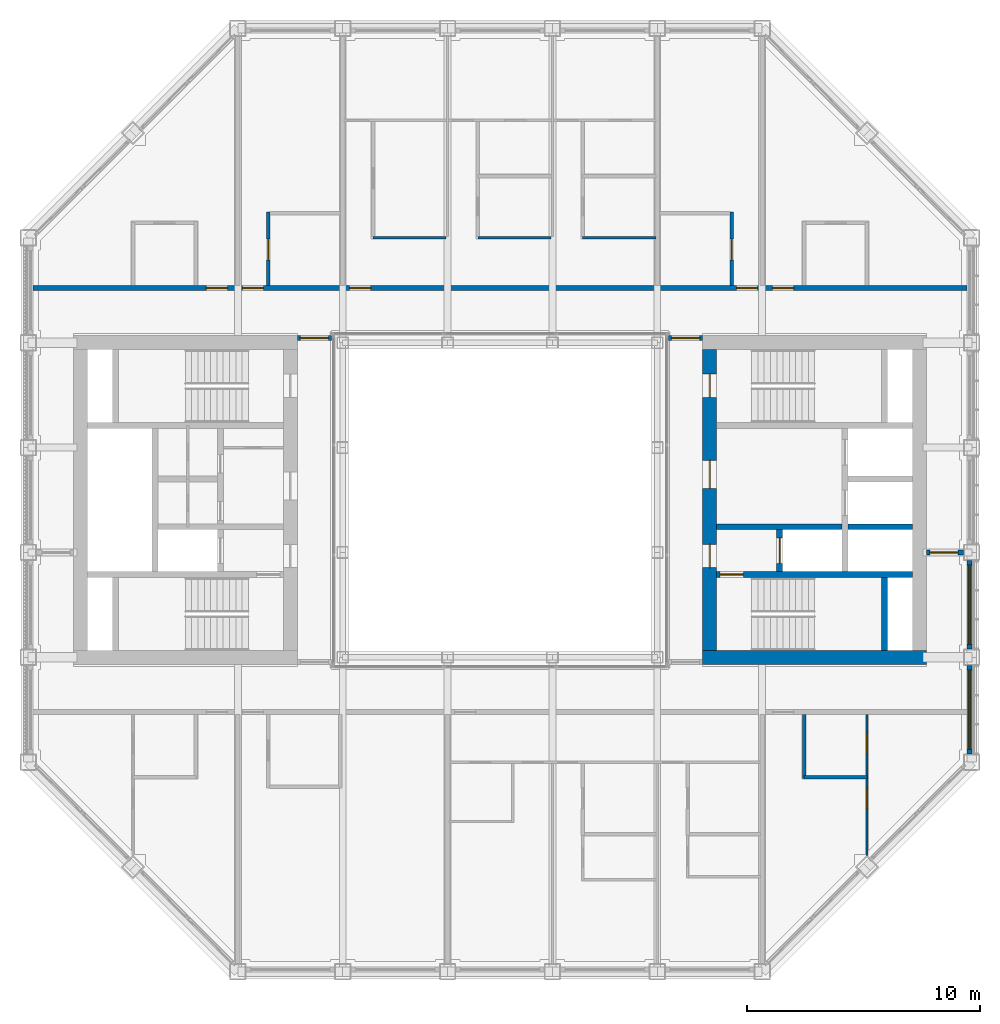
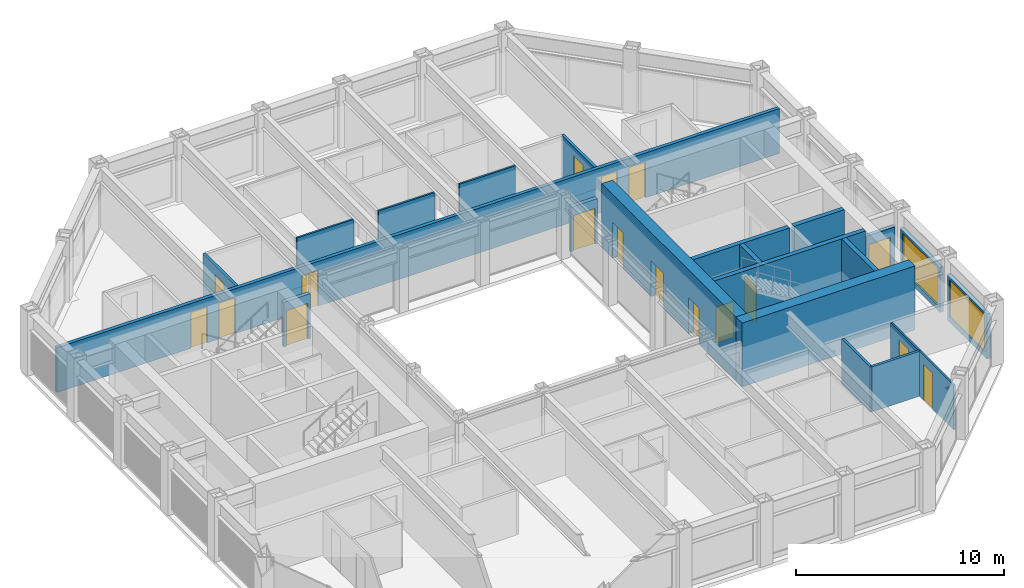
# One storey, part 11 of 17: 21 walls, 17 doors, 2 windows, 19 openings.
"""IFC4 building model written with IfcOpenShell, lengths in metres."""

from ifc_helpers import new_model, si_unit, direction, frame, frame_2d, origin, place, context, subcontext, project, spatial, rectangle, extrude, material, layer, layer_set, type_object, element, fill, save


model = new_model("IFC4")

# Units and contexts
model_context = context("Model", 3, precision=1e-05, world=origin(), true_north=direction((0.0, 1.0)))
body_context = subcontext(model_context, "Body", "Model", "MODEL_VIEW")
ifc_project = project(units=[si_unit("LENGTHUNIT", "METRE"), si_unit("AREAUNIT", "SQUARE_METRE"), si_unit("VOLUMEUNIT", "CUBIC_METRE"), si_unit("PLANEANGLEUNIT", "RADIAN"), si_unit("MASSUNIT", "GRAM", prefix="KILO")], contexts=[model_context])

# Site, building, storey
site_placement = place(None, origin())
site = spatial("IfcSite", under=ifc_project, at=site_placement, CompositionType="ELEMENT")
building_placement = place(site_placement, origin())
building = spatial("IfcBuilding", under=site, at=building_placement, Name="Msasa Ring Tower", CompositionType="ELEMENT")
storey_placement = place(building_placement, frame((0.0, 0.0, 242.050048828125)))
storey = spatial("IfcBuildingStorey", under=building, at=storey_placement, Name="L63", CompositionType="ELEMENT", Elevation=242.050048828125)

# Wall
ifc_material_1 = material(Name="Concrete C60/75", Category="concrete")
ifc_layer_1 = layer(ifc_material_1, 0.60009765625)
ifc_layer_set_1 = layer_set([ifc_layer_1], Name="CW3 CORE WALL 600")
wall_type_1 = type_object("IfcWallType", Name="CW3 CORE WALL 600", PredefinedType="SHEAR", material=ifc_layer_set_1)
wall_1_placement = place(storey_placement, frame((8.699951171875, -6.75, 0.0), z_axis=(0.0, 0.0, 1.0), x_axis=(1.0, 0.0, 0.0)))
element("IfcWall", 1, at=wall_1_placement, inside=storey, type_object=wall_type_1, Name="E core wall S L63", PredefinedType="SHEAR", context=body_context, shape_type="SweptSolid", body=[
    extrude(rectangle(XDim=9.60009765625, YDim=0.60009765625, at=frame_2d((4.800048828125, 0.0))), origin(), (0.0, 0.0, 1.0), 3.75),
])

# Wall, openings, doors
wall_2_placement = place(storey_placement, frame((9.0, -6.449951171875, 0.0), z_axis=(0.0, 0.0, 1.0), x_axis=(0.0, 1.0, 0.0)))
wall_2 = element("IfcWall", 2, at=wall_2_placement, inside=storey, type_object=wall_type_1, Name="E core wall W L63", PredefinedType="SHEAR", context=body_context, shape_type="SweptSolid", body=[
    extrude(rectangle(XDim=12.89990234375, YDim=0.60009765625, at=frame_2d((6.449951171875, 0.0))), origin(), (0.0, 0.0, 1.0), 3.75),
])
opening_1_placement = place(wall_2_placement, frame((3.550048828125, 0.0, 0.0)))
opening_1 = element("IfcOpeningElement", 3, at=opening_1_placement, cuts=wall_2, Name="Opening SD-032", PredefinedType="OPENING", context=body_context, shape_type="SweptSolid", body=[
    extrude(rectangle(XDim=1.0, YDim=2.10009765625, at=frame_2d((0.5, 1.050048828125))), frame((0.0, 0.31005859375, 0.0), z_axis=(0.0, -1.0, 0.0), x_axis=(1.0, 0.0, 0.0)), (0.0, 0.0, 1.0), 0.6201171875),
])
opening_2_placement = place(wall_2_placement, frame((6.949951171875, 0.0, 0.0)))
opening_2 = element("IfcOpeningElement", 4, at=opening_2_placement, cuts=wall_2, Name="Opening SD-025", PredefinedType="OPENING", context=body_context, shape_type="SweptSolid", body=[
    extrude(rectangle(XDim=1.199951171875, YDim=2.10009765625, at=frame_2d((0.60009765625, 1.050048828125))), frame((0.0, 0.31005859375, 0.0), z_axis=(0.0, -1.0, 0.0), x_axis=(1.0, 0.0, 0.0)), (0.0, 0.0, 1.0), 0.6201171875),
])
opening_3_placement = place(wall_2_placement, frame((10.85009765625, 0.0, 0.0)))
opening_3 = element("IfcOpeningElement", 5, at=opening_3_placement, cuts=wall_2, Name="Opening SD-021", PredefinedType="OPENING", context=body_context, shape_type="SweptSolid", body=[
    extrude(rectangle(XDim=1.0, YDim=2.10009765625, at=frame_2d((0.5, 1.050048828125))), frame((0.0, 0.31005859375, 0.0), z_axis=(0.0, -1.0, 0.0), x_axis=(1.0, 0.0, 0.0)), (0.0, 0.0, 1.0), 0.6201171875),
])
ifc_material_2 = material(Name="Timber door leaf in a steel frame", Category="steel")
door_type_1 = type_object("IfcDoorType", Name="D4 LOBBY DOOR 1000x2100", OperationType="SINGLE_SWING_LEFT", PredefinedType="DOOR", material=ifc_material_2)
door_1_placement = place(opening_1_placement, origin())
door_1 = element("IfcDoor", 6, at=door_1_placement, inside=storey, type_object=door_type_1, Name="Door L63-EFFL", OperationType="SINGLE_SWING_LEFT", OverallHeight=2.10009765625, OverallWidth=1.0, PredefinedType="DOOR", context=body_context, shape_type="SweptSolid", body=[
    extrude(rectangle(XDim=1.0, YDim=2.10009765625, at=frame_2d((0.5, 1.050048828125))), frame((0.0, 0.02490234375, 0.0), z_axis=(0.0, -1.0, 0.0), x_axis=(1.0, 0.0, 0.0)), (0.0, 0.0, 1.0), 0.050048828125),
])
fill(opening_1, door_1)
ifc_material_3 = material(Name="Timber door leaf in a steel frame", Category="steel")
door_type_2 = type_object("IfcDoorType", Name="D5 WIDE LOBBY DOOR 1200x2100", OperationType="SINGLE_SWING_LEFT", PredefinedType="DOOR", material=ifc_material_3)
door_2_placement = place(opening_2_placement, origin())
door_2 = element("IfcDoor", 7, at=door_2_placement, inside=storey, type_object=door_type_2, Name="Door L63-ELL", OperationType="SINGLE_SWING_RIGHT", OverallHeight=2.10009765625, OverallWidth=1.199951171875, PredefinedType="DOOR", context=body_context, shape_type="SweptSolid", body=[
    extrude(rectangle(XDim=1.199951171875, YDim=2.10009765625, at=frame_2d((0.60009765625, 1.050048828125))), frame((0.0, 0.02490234375, 0.0), z_axis=(0.0, -1.0, 0.0), x_axis=(1.0, 0.0, 0.0)), (0.0, 0.0, 1.0), 0.050048828125),
])
fill(opening_2, door_2)
ifc_material_4 = material(Name="Timber door leaf in a steel frame", Category="steel")
door_type_3 = type_object("IfcDoorType", Name="D6 STAIR DOOR 1000x2100", OperationType="SINGLE_SWING_LEFT", PredefinedType="DOOR", material=ifc_material_4)
door_3_placement = place(opening_3_placement, origin())
door_3 = element("IfcDoor", 8, at=door_3_placement, inside=storey, type_object=door_type_3, Name="Door L63-ESTB", OperationType="SINGLE_SWING_RIGHT", OverallHeight=2.10009765625, OverallWidth=1.0, PredefinedType="DOOR", context=body_context, shape_type="SweptSolid", body=[
    extrude(rectangle(XDim=1.0, YDim=2.10009765625, at=frame_2d((0.5, 1.050048828125))), frame((0.0, 0.02490234375, 0.0), z_axis=(0.0, -1.0, 0.0), x_axis=(1.0, 0.0, 0.0)), (0.0, 0.0, 1.0), 0.050048828125),
])
fill(opening_3, door_3)

# Wall, opening, door
ifc_material_5 = material(Name="Concrete C60/75", Category="concrete")
ifc_layer_2 = layer(ifc_material_5, 0.25)
ifc_layer_set_2 = layer_set([ifc_layer_2], Name="CW4 CORE INNER WALL 250")
wall_type_2 = type_object("IfcWallType", Name="CW4 CORE INNER WALL 250", PredefinedType="SHEAR", material=ifc_layer_set_2)
wall_3_placement = place(storey_placement, frame((9.300048828125, -3.199951171875, 0.0), z_axis=(0.0, 0.0, 1.0), x_axis=(1.0, 0.0, 0.0)))
wall_3 = element("IfcWall", 9, at=wall_3_placement, inside=storey, type_object=wall_type_2, Name="E core wall STAIRA L63", PredefinedType="SHEAR", context=body_context, shape_type="SweptSolid", body=[
    extrude(rectangle(XDim=8.39990234375, YDim=0.25, at=frame_2d((4.199951171875, 0.0))), origin(), (0.0, 0.0, 1.0), 3.75),
])
opening_4_placement = place(wall_3_placement, frame((0.14990234375, 0.0, 0.0)))
opening_4 = element("IfcOpeningElement", 10, at=opening_4_placement, cuts=wall_3, Name="Opening SD-034", PredefinedType="OPENING", context=body_context, shape_type="SweptSolid", body=[
    extrude(rectangle(XDim=1.0, YDim=2.10009765625, at=frame_2d((0.5, 1.050048828125))), frame((0.0, 0.135009765625, 0.0), z_axis=(0.0, -1.0, 0.0), x_axis=(1.0, 0.0, 0.0)), (0.0, 0.0, 1.0), 0.27001953125),
])
door_4_placement = place(opening_4_placement, origin())
door_4 = element("IfcDoor", 11, at=door_4_placement, inside=storey, type_object=door_type_3, Name="Door L63-ESTA", OperationType="SINGLE_SWING_LEFT", OverallHeight=2.10009765625, OverallWidth=1.0, PredefinedType="DOOR", context=body_context, shape_type="SweptSolid", body=[
    extrude(rectangle(XDim=1.0, YDim=2.10009765625, at=frame_2d((0.5, 1.050048828125))), frame((0.0, 0.02490234375, 0.0), z_axis=(0.0, -1.0, 0.0), x_axis=(1.0, 0.0, 0.0)), (0.0, 0.0, 1.0), 0.050048828125),
])
fill(opening_4, door_4)

# Walls
wall_4_placement = place(storey_placement, frame((16.5, -6.449951171875, 0.0), z_axis=(0.0, 0.0, 1.0), x_axis=(0.0, 1.0, 0.0)))
element("IfcWall", 12, at=wall_4_placement, inside=storey, type_object=wall_type_2, Name="E core wall RISERA L63", PredefinedType="SHEAR", context=body_context, shape_type="SweptSolid", body=[
    extrude(rectangle(XDim=3.125, YDim=0.25, at=frame_2d((1.5625, 0.0))), origin(), (0.0, 0.0, 1.0), 3.75),
])
wall_5_placement = place(storey_placement, frame((9.300048828125, -1.14990234375, 0.0), z_axis=(0.0, 0.0, 1.0), x_axis=(1.0, 0.0, 0.0)))
element("IfcWall", 13, at=wall_5_placement, inside=storey, type_object=wall_type_2, Name="E core wall FFL L63", PredefinedType="SHEAR", context=body_context, shape_type="SweptSolid", body=[
    extrude(rectangle(XDim=5.375, YDim=0.25, at=frame_2d((2.6875, 0.0))), origin(), (0.0, 0.0, 1.0), 3.75),
])

# Wall, opening, door
wall_6_placement = place(storey_placement, frame((12.0, -3.074951171875, 0.0), z_axis=(0.0, 0.0, 1.0), x_axis=(0.0, 1.0, 0.0)))
wall_6 = element("IfcWall", 14, at=wall_6_placement, inside=storey, type_object=wall_type_2, Name="E core wall LOBBY L63", PredefinedType="SHEAR", context=body_context, shape_type="SweptSolid", body=[
    extrude(rectangle(XDim=1.800048828125, YDim=0.25, at=frame_2d((0.89990234375, 0.0))), origin(), (0.0, 0.0, 1.0), 3.75),
])
opening_5_placement = place(wall_6_placement, frame((0.35009765625, 0.0, 0.0)))
opening_5 = element("IfcOpeningElement", 15, at=opening_5_placement, cuts=wall_6, Name="Opening LD1", PredefinedType="OPENING", context=body_context, shape_type="SweptSolid", body=[
    extrude(rectangle(XDim=1.10009765625, YDim=2.10009765625, at=frame_2d((0.550048828125, 1.050048828125))), frame((0.0, 0.135009765625, 0.0), z_axis=(0.0, -1.0, 0.0), x_axis=(1.0, 0.0, 0.0)), (0.0, 0.0, 1.0), 0.27001953125),
])
ifc_material_6 = material(Name="Stainless steel lift landing door", Category="steel")
door_type_4 = type_object("IfcDoorType", Name="LD1 LIFT LANDING DOOR 1100x2100", OperationType="DOUBLE_DOOR_SLIDING", PredefinedType="DOOR", material=ifc_material_6)
door_5_placement = place(opening_5_placement, origin())
door_5 = element("IfcDoor", 16, at=door_5_placement, inside=storey, type_object=door_type_4, Name="Lift landing door FL-E L63", OperationType="DOUBLE_DOOR_SLIDING", OverallHeight=2.10009765625, OverallWidth=1.10009765625, PredefinedType="DOOR", context=body_context, shape_type="SweptSolid", body=[
    extrude(rectangle(XDim=1.10009765625, YDim=2.10009765625, at=frame_2d((0.550048828125, 1.050048828125))), frame((0.0, 0.02490234375, 0.0), z_axis=(0.0, -1.0, 0.0), x_axis=(1.0, 0.0, 0.0)), (0.0, 0.0, 1.0), 0.050048828125),
])
fill(opening_5, door_5)

# Wall
wall_7_placement = place(storey_placement, frame((14.925048828125, -1.14990234375, 0.0), z_axis=(0.0, 0.0, 1.0), x_axis=(1.0, 0.0, 0.0)))
element("IfcWall", 17, at=wall_7_placement, inside=storey, type_object=wall_type_2, Name="E core wall HSEP L63", PredefinedType="SHEAR", context=body_context, shape_type="SweptSolid", body=[
    extrude(rectangle(XDim=2.77490234375, YDim=0.25, at=frame_2d((1.387451171875, 0.0))), origin(), (0.0, 0.0, 1.0), 3.75),
])

# Wall, opening, window
ifc_material_7 = material(Name="Terracotta rainscreen on blockwork", Category="masonry")
ifc_layer_3 = layer(ifc_material_7, 0.199951171875)
ifc_layer_set_3 = layer_set([ifc_layer_3], Name="FW1 TERRACOTTA-LINED INFILL BAY WALL 200")
wall_type_3 = type_object("IfcWallType", Name="FW1 TERRACOTTA-LINED INFILL BAY WALL 200", PredefinedType="SOLIDWALL", material=ifc_layer_set_3)
wall_8_placement = place(storey_placement, frame((20.14990234375, -10.89501953125, 0.0), z_axis=(0.0, 0.0, 1.0), x_axis=(0.0, 1.0, 0.0)))
wall_8 = element("IfcWall", 18, at=wall_8_placement, inside=storey, type_object=wall_type_3, Name="Infill bay wall E L63 07", PredefinedType="SOLIDWALL", context=body_context, shape_type="SweptSolid", body=[
    extrude(rectangle(XDim=3.7900390625, YDim=0.199951171875, at=frame_2d((1.89501953125, 0.0))), origin(), (0.0, 0.0, 1.0), 2.62890625),
])
opening_6_placement = place(wall_8_placement, frame((0.195068359375, 0.0, 0.300048828125)))
opening_6 = element("IfcOpeningElement", 19, at=opening_6_placement, cuts=wall_8, Name="Opening WN3", PredefinedType="OPENING", context=body_context, shape_type="SweptSolid", body=[
    extrude(rectangle(XDim=3.39990234375, YDim=2.178955078125, at=frame_2d((1.699951171875, 1.08935546875))), frame((0.0, 0.10986328125, 0.0), z_axis=(0.0, -1.0, 0.0), x_axis=(1.0, 0.0, 0.0)), (0.0, 0.0, 1.0), 0.219970703125),
])
ifc_material_8 = material(Name="Aluminium frame with clear glass", Category="aluminium")
window_type = type_object("IfcWindowType", Name="WN3 SUITE WINDOW 3400x2179", PartitioningType="SINGLE_PANEL", PredefinedType="WINDOW", material=ifc_material_8)
window_1_placement = place(opening_6_placement, origin())
window_1 = element("IfcWindow", 20, at=window_1_placement, inside=storey, type_object=window_type, Name="Window E L63 07", OverallHeight=2.178955078125, OverallWidth=3.39990234375, PartitioningType="SINGLE_PANEL", PredefinedType="WINDOW", context=body_context, shape_type="SweptSolid", body=[
    extrude(rectangle(XDim=3.39990234375, YDim=2.178955078125, at=frame_2d((1.699951171875, 1.08935546875))), frame((0.0, 0.030029296875, 0.0), z_axis=(0.0, -1.0, 0.0), x_axis=(1.0, 0.0, 0.0)), (0.0, 0.0, 1.0), 0.06005859375),
])
fill(opening_6, window_1)

wall_9_placement = place(storey_placement, frame((20.14990234375, -6.39501953125, 0.0), z_axis=(0.0, 0.0, 1.0), x_axis=(0.0, 1.0, 0.0)))
wall_9 = element("IfcWall", 21, at=wall_9_placement, inside=storey, type_object=wall_type_3, Name="Infill bay wall E L63 08", PredefinedType="SOLIDWALL", context=body_context, shape_type="SweptSolid", body=[
    extrude(rectangle(XDim=3.7900390625, YDim=0.199951171875, at=frame_2d((1.89501953125, 0.0))), origin(), (0.0, 0.0, 1.0), 2.62890625),
])
opening_7_placement = place(wall_9_placement, frame((0.195068359375, 0.0, 0.300048828125)))
opening_7 = element("IfcOpeningElement", 22, at=opening_7_placement, cuts=wall_9, Name="Opening WN3", PredefinedType="OPENING", context=body_context, shape_type="SweptSolid", body=[
    extrude(rectangle(XDim=3.39990234375, YDim=2.178955078125, at=frame_2d((1.699951171875, 1.08935546875))), frame((0.0, 0.10986328125, 0.0), z_axis=(0.0, -1.0, 0.0), x_axis=(1.0, 0.0, 0.0)), (0.0, 0.0, 1.0), 0.219970703125),
])
window_2_placement = place(opening_7_placement, origin())
window_2 = element("IfcWindow", 23, at=window_2_placement, inside=storey, type_object=window_type, Name="Window E L63 08", OverallHeight=2.178955078125, OverallWidth=3.39990234375, PartitioningType="SINGLE_PANEL", PredefinedType="WINDOW", context=body_context, shape_type="SweptSolid", body=[
    extrude(rectangle(XDim=3.39990234375, YDim=2.178955078125, at=frame_2d((1.699951171875, 1.08935546875))), frame((0.0, 0.030029296875, 0.0), z_axis=(0.0, -1.0, 0.0), x_axis=(1.0, 0.0, 0.0)), (0.0, 0.0, 1.0), 0.06005859375),
])
fill(opening_7, window_2)

# Wall, opening, door
ifc_material_9 = material(Name="Concrete blockwork", Category="masonry")
ifc_layer_4 = layer(ifc_material_9, 0.199951171875)
ifc_layer_set_4 = layer_set([ifc_layer_4], Name="PT1 CORRIDOR WALL 200")
wall_type_4 = type_object("IfcWallType", Name="PT1 CORRIDOR WALL 200", PredefinedType="PARTITIONING", material=ifc_layer_set_4)
wall_10_placement = place(storey_placement, frame((18.300048828125, -2.25, 0.0), z_axis=(0.0, 0.0, 1.0), x_axis=(1.0, 0.0, 0.0)))
wall_10 = element("IfcWall", 24, at=wall_10_placement, inside=storey, type_object=wall_type_4, Name="Corridor wall L63-WSE", PredefinedType="PARTITIONING", context=body_context, shape_type="SweptSolid", body=[
    extrude(rectangle(XDim=1.599853515625, YDim=0.199951171875, at=frame_2d((0.7998046875, 0.0))), origin(), (0.0, 0.0, 1.0), 2.62890625),
])
opening_8_placement = place(wall_10_placement, frame((0.14990234375, 0.0, 0.0)))
opening_8 = element("IfcOpeningElement", 25, at=opening_8_placement, cuts=wall_10, Name="Opening SD-030", PredefinedType="OPENING", context=body_context, shape_type="SweptSolid", body=[
    extrude(rectangle(XDim=1.199951171875, YDim=2.10009765625, at=frame_2d((0.60009765625, 1.050048828125))), frame((0.0, 0.10986328125, 0.0), z_axis=(0.0, -1.0, 0.0), x_axis=(1.0, 0.0, 0.0)), (0.0, 0.0, 1.0), 0.219970703125),
])
ifc_material_10 = material(Name="Timber door leaf in a steel frame", Category="steel")
door_type_5 = type_object("IfcDoorType", Name="D25 CORRIDOR PAIR OF SMOKE DOORS 1200x2100", OperationType="DOUBLE_DOOR_DOUBLE_SWING", PredefinedType="DOOR", material=ifc_material_10)
door_6_placement = place(opening_8_placement, origin())
door_6 = element("IfcDoor", 26, at=door_6_placement, inside=storey, type_object=door_type_5, Name="Door L63-WSE", OperationType="DOUBLE_DOOR_DOUBLE_SWING", OverallHeight=2.10009765625, OverallWidth=1.199951171875, PredefinedType="DOOR", context=body_context, shape_type="SweptSolid", body=[
    extrude(rectangle(XDim=1.199951171875, YDim=2.10009765625, at=frame_2d((0.60009765625, 1.050048828125))), frame((0.0, 0.02490234375, 0.0), z_axis=(0.0, -1.0, 0.0), x_axis=(1.0, 0.0, 0.0)), (0.0, 0.0, 1.0), 0.050048828125),
])
fill(opening_8, door_6)

wall_11_placement = place(storey_placement, frame((7.22998046875, 6.949951171875, 0.0), z_axis=(0.0, 0.0, 1.0), x_axis=(1.0, 0.0, 0.0)))
wall_11 = element("IfcWall", 27, at=wall_11_placement, inside=storey, type_object=wall_type_4, Name="Corridor wall L63-SDEN", PredefinedType="PARTITIONING", context=body_context, shape_type="SweptSolid", body=[
    extrude(rectangle(XDim=1.469970703125, YDim=0.199951171875, at=frame_2d((0.73486328125, 0.0))), origin(), (0.0, 0.0, 1.0), 2.62890625),
])
opening_9_placement = place(wall_11_placement, frame((0.135009765625, 0.0, 0.0)))
opening_9 = element("IfcOpeningElement", 28, at=opening_9_placement, cuts=wall_11, Name="Opening SD-019", PredefinedType="OPENING", context=body_context, shape_type="SweptSolid", body=[
    extrude(rectangle(XDim=1.199951171875, YDim=2.10009765625, at=frame_2d((0.60009765625, 1.050048828125))), frame((0.0, 0.10986328125, 0.0), z_axis=(0.0, -1.0, 0.0), x_axis=(1.0, 0.0, 0.0)), (0.0, 0.0, 1.0), 0.219970703125),
])
door_7_placement = place(opening_9_placement, origin())
door_7 = element("IfcDoor", 29, at=door_7_placement, inside=storey, type_object=door_type_5, Name="Door L63-SDEN", OperationType="DOUBLE_DOOR_DOUBLE_SWING", OverallHeight=2.10009765625, OverallWidth=1.199951171875, PredefinedType="DOOR", context=body_context, shape_type="SweptSolid", body=[
    extrude(rectangle(XDim=1.199951171875, YDim=2.10009765625, at=frame_2d((0.60009765625, 1.050048828125))), frame((0.0, 0.02490234375, 0.0), z_axis=(0.0, -1.0, 0.0), x_axis=(1.0, 0.0, 0.0)), (0.0, 0.0, 1.0), 0.050048828125),
])
fill(opening_9, door_7)

wall_12_placement = place(storey_placement, frame((-8.699951171875, 6.949951171875, 0.0), z_axis=(0.0, 0.0, 1.0), x_axis=(1.0, 0.0, 0.0)))
wall_12 = element("IfcWall", 30, at=wall_12_placement, inside=storey, type_object=wall_type_4, Name="Corridor wall L63-SDWN", PredefinedType="PARTITIONING", context=body_context, shape_type="SweptSolid", body=[
    extrude(rectangle(XDim=1.469970703125, YDim=0.199951171875, at=frame_2d((0.73486328125, 0.0))), origin(), (0.0, 0.0, 1.0), 2.62890625),
])
opening_10_placement = place(wall_12_placement, frame((0.135009765625, 0.0, 0.0)))
opening_10 = element("IfcOpeningElement", 31, at=opening_10_placement, cuts=wall_12, Name="Opening SD-018", PredefinedType="OPENING", context=body_context, shape_type="SweptSolid", body=[
    extrude(rectangle(XDim=1.199951171875, YDim=2.10009765625, at=frame_2d((0.60009765625, 1.050048828125))), frame((0.0, 0.10986328125, 0.0), z_axis=(0.0, -1.0, 0.0), x_axis=(1.0, 0.0, 0.0)), (0.0, 0.0, 1.0), 0.219970703125),
])
door_8_placement = place(opening_10_placement, origin())
door_8 = element("IfcDoor", 32, at=door_8_placement, inside=storey, type_object=door_type_5, Name="Door L63-SDWN", OperationType="DOUBLE_DOOR_DOUBLE_SWING", OverallHeight=2.10009765625, OverallWidth=1.199951171875, PredefinedType="DOOR", context=body_context, shape_type="SweptSolid", body=[
    extrude(rectangle(XDim=1.199951171875, YDim=2.10009765625, at=frame_2d((0.60009765625, 1.050048828125))), frame((0.0, 0.02490234375, 0.0), z_axis=(0.0, -1.0, 0.0), x_axis=(1.0, 0.0, 0.0)), (0.0, 0.0, 1.0), 0.050048828125),
])
fill(opening_10, door_8)

# Wall, openings, doors
wall_13_placement = place(storey_placement, frame((-20.050048828125, 9.10009765625, 0.0), z_axis=(0.0, 0.0, 1.0), x_axis=(1.0, 0.0, 0.0)))
wall_13 = element("IfcWall", 33, at=wall_13_placement, inside=storey, type_object=wall_type_4, Name="Corridor wall L63-CORRN0", PredefinedType="PARTITIONING", context=body_context, shape_type="SweptSolid", body=[
    extrude(rectangle(XDim=40.10009765625, YDim=0.199951171875, at=frame_2d((20.050048828125, 0.0))), origin(), (0.0, 0.0, 1.0), 2.62890625),
])
opening_11_placement = place(wall_13_placement, frame((9.0, 0.0, 0.0)))
opening_11 = element("IfcOpeningElement", 34, at=opening_11_placement, cuts=wall_13, Name="Opening SD-014", PredefinedType="OPENING", context=body_context, shape_type="SweptSolid", body=[
    extrude(rectangle(XDim=0.89990234375, YDim=2.10009765625, at=frame_2d((0.449951171875, 1.050048828125))), frame((0.0, 0.10986328125, 0.0), z_axis=(0.0, -1.0, 0.0), x_axis=(1.0, 0.0, 0.0)), (0.0, 0.0, 1.0), 0.219970703125),
])
opening_12_placement = place(wall_13_placement, frame((13.60009765625, 0.0, 0.0)))
opening_12 = element("IfcOpeningElement", 35, at=opening_12_placement, cuts=wall_13, Name="Opening SD-015", PredefinedType="OPENING", context=body_context, shape_type="SweptSolid", body=[
    extrude(rectangle(XDim=0.89990234375, YDim=2.10009765625, at=frame_2d((0.449951171875, 1.050048828125))), frame((0.0, 0.10986328125, 0.0), z_axis=(0.0, -1.0, 0.0), x_axis=(1.0, 0.0, 0.0)), (0.0, 0.0, 1.0), 0.219970703125),
])
opening_13_placement = place(wall_13_placement, frame((30.199951171875, 0.0, 0.0)))
opening_13 = element("IfcOpeningElement", 36, at=opening_13_placement, cuts=wall_13, Name="Opening SD-016", PredefinedType="OPENING", context=body_context, shape_type="SweptSolid", body=[
    extrude(rectangle(XDim=0.89990234375, YDim=2.10009765625, at=frame_2d((0.449951171875, 1.050048828125))), frame((0.0, 0.10986328125, 0.0), z_axis=(0.0, -1.0, 0.0), x_axis=(1.0, 0.0, 0.0)), (0.0, 0.0, 1.0), 0.219970703125),
])
opening_14_placement = place(wall_13_placement, frame((31.75, 0.0, 0.0)))
opening_14 = element("IfcOpeningElement", 37, at=opening_14_placement, cuts=wall_13, Name="Opening SD-017", PredefinedType="OPENING", context=body_context, shape_type="SweptSolid", body=[
    extrude(rectangle(XDim=0.89990234375, YDim=2.10009765625, at=frame_2d((0.449951171875, 1.050048828125))), frame((0.0, 0.10986328125, 0.0), z_axis=(0.0, -1.0, 0.0), x_axis=(1.0, 0.0, 0.0)), (0.0, 0.0, 1.0), 0.219970703125),
])
opening_15_placement = place(wall_13_placement, frame((7.449951171875, 0.0, 0.0)))
opening_15 = element("IfcOpeningElement", 38, at=opening_15_placement, cuts=wall_13, Name="Opening SD-013", PredefinedType="OPENING", context=body_context, shape_type="SweptSolid", body=[
    extrude(rectangle(XDim=0.89990234375, YDim=2.10009765625, at=frame_2d((0.449951171875, 1.050048828125))), frame((0.0, 0.10986328125, 0.0), z_axis=(0.0, -1.0, 0.0), x_axis=(1.0, 0.0, 0.0)), (0.0, 0.0, 1.0), 0.219970703125),
])
ifc_material_11 = material(Name="Timber door leaf in a steel frame", Category="steel")
door_type_6 = type_object("IfcDoorType", Name="D1 SINGLE DOOR TO CORRIDOR 900x2100", OperationType="SINGLE_SWING_LEFT", PredefinedType="DOOR", material=ifc_material_11)
door_9_placement = place(opening_11_placement, origin())
door_9 = element("IfcDoor", 39, at=door_9_placement, inside=storey, type_object=door_type_6, Name="Door L63-JN00", OperationType="SINGLE_SWING_LEFT", OverallHeight=2.10009765625, OverallWidth=0.89990234375, PredefinedType="DOOR", context=body_context, shape_type="SweptSolid", body=[
    extrude(rectangle(XDim=0.89990234375, YDim=2.10009765625, at=frame_2d((0.449951171875, 1.050048828125))), frame((0.0, 0.02490234375, 0.0), z_axis=(0.0, -1.0, 0.0), x_axis=(1.0, 0.0, 0.0)), (0.0, 0.0, 1.0), 0.050048828125),
])
fill(opening_11, door_9)
door_10_placement = place(opening_13_placement, origin())
door_10 = element("IfcDoor", 40, at=door_10_placement, inside=storey, type_object=door_type_6, Name="Door L63-JN02", OperationType="SINGLE_SWING_RIGHT", OverallHeight=2.10009765625, OverallWidth=0.89990234375, PredefinedType="DOOR", context=body_context, shape_type="SweptSolid", body=[
    extrude(rectangle(XDim=0.89990234375, YDim=2.10009765625, at=frame_2d((0.449951171875, 1.050048828125))), frame((0.0, 0.02490234375, 0.0), z_axis=(0.0, -1.0, 0.0), x_axis=(1.0, 0.0, 0.0)), (0.0, 0.0, 1.0), 0.050048828125),
])
fill(opening_13, door_10)
ifc_material_12 = material(Name="Timber door leaf in a steel frame", Category="steel")
door_type_7 = type_object("IfcDoorType", Name="D2 ENTRANCE DOOR 900x2100", OperationType="SINGLE_SWING_LEFT", PredefinedType="DOOR", material=ifc_material_12)
door_11_placement = place(opening_12_placement, origin())
door_11 = element("IfcDoor", 41, at=door_11_placement, inside=storey, type_object=door_type_7, Name="Door L63-JN01", OperationType="SINGLE_SWING_LEFT", OverallHeight=2.10009765625, OverallWidth=0.89990234375, PredefinedType="DOOR", context=body_context, shape_type="SweptSolid", body=[
    extrude(rectangle(XDim=0.89990234375, YDim=2.10009765625, at=frame_2d((0.449951171875, 1.050048828125))), frame((0.0, 0.02490234375, 0.0), z_axis=(0.0, -1.0, 0.0), x_axis=(1.0, 0.0, 0.0)), (0.0, 0.0, 1.0), 0.050048828125),
])
fill(opening_12, door_11)
door_12_placement = place(opening_14_placement, origin())
door_12 = element("IfcDoor", 42, at=door_12_placement, inside=storey, type_object=door_type_7, Name="Door L63-CSNE", OperationType="SINGLE_SWING_RIGHT", OverallHeight=2.10009765625, OverallWidth=0.89990234375, PredefinedType="DOOR", context=body_context, shape_type="SweptSolid", body=[
    extrude(rectangle(XDim=0.89990234375, YDim=2.10009765625, at=frame_2d((0.449951171875, 1.050048828125))), frame((0.0, 0.02490234375, 0.0), z_axis=(0.0, -1.0, 0.0), x_axis=(1.0, 0.0, 0.0)), (0.0, 0.0, 1.0), 0.050048828125),
])
fill(opening_14, door_12)
door_13_placement = place(opening_15_placement, origin())
door_13 = element("IfcDoor", 43, at=door_13_placement, inside=storey, type_object=door_type_7, Name="Door L63-CSNW", OperationType="SINGLE_SWING_LEFT", OverallHeight=2.10009765625, OverallWidth=0.89990234375, PredefinedType="DOOR", context=body_context, shape_type="SweptSolid", body=[
    extrude(rectangle(XDim=0.89990234375, YDim=2.10009765625, at=frame_2d((0.449951171875, 1.050048828125))), frame((0.0, 0.02490234375, 0.0), z_axis=(0.0, -1.0, 0.0), x_axis=(1.0, 0.0, 0.0)), (0.0, 0.0, 1.0), 0.050048828125),
])
fill(opening_15, door_13)

# Walls
ifc_material_13 = material(Name="Gypsum board on steel studs", Category="steel")
ifc_layer_5 = layer(ifc_material_13, 0.10009765625)
ifc_layer_set_5 = layer_set([ifc_layer_5], Name="PT2 STUD PARTITION 100")
wall_type_5 = type_object("IfcWallType", Name="PT2 STUD PARTITION 100", PredefinedType="PARTITIONING", material=ifc_layer_set_5)
for number, where, z_axis, x_axis, name in (
    (44, (-5.449951171875, 11.25, 0.0), (0.0, 0.0, 1.0), (1.0, 0.0, 0.0), "Partition L63-JN01HY0"),
    (45, (-0.949951171875, 11.25, 0.0), (0.0, 0.0, 1.0), (1.0, 0.0, 0.0), "Partition L63-JN01HY1"),
    (46, (3.550048828125, 11.25, 0.0), (0.0, 0.0, 1.0), (1.0, 0.0, 0.0), "Partition L63-JN01HY2"),
):
    element("IfcWall", number, at=place(storey_placement, frame(where, z_axis=z_axis, x_axis=x_axis)), inside=storey, type_object=wall_type_5, Name=name, PredefinedType="PARTITIONING", context=body_context, shape_type="SweptSolid", body=[
        extrude(rectangle(XDim=3.139892578125, YDim=0.10009765625, at=frame_2d((1.56982421875, 0.0))), origin(), (0.0, 0.0, 1.0), 2.62890625),
    ])

# Wall, openings, doors
wall_14_placement = place(storey_placement, frame((15.75, -15.2548828125, 0.0), z_axis=(0.0, 0.0, 1.0), x_axis=(0.0, 1.0, 0.0)))
wall_14 = element("IfcWall", 47, at=wall_14_placement, inside=storey, type_object=wall_type_5, Name="Partition L63-CSSEP1", PredefinedType="PARTITIONING", context=body_context, shape_type="SweptSolid", body=[
    extrude(rectangle(XDim=6.054931640625, YDim=0.10009765625, at=frame_2d((3.02734375, 0.0))), origin(), (0.0, 0.0, 1.0), 2.62890625),
])
opening_16_placement = place(wall_14_placement, frame((2.030029296875, 0.0, 0.0)))
opening_16 = element("IfcOpeningElement", 48, at=opening_16_placement, cuts=wall_14, Name="Opening SD-051", PredefinedType="OPENING", context=body_context, shape_type="SweptSolid", body=[
    extrude(rectangle(XDim=0.85009765625, YDim=2.10009765625, at=frame_2d((0.425048828125, 1.050048828125))), frame((0.0, 0.06005859375, 0.0), z_axis=(0.0, -1.0, 0.0), x_axis=(1.0, 0.0, 0.0)), (0.0, 0.0, 1.0), 0.1201171875),
])
opening_17_placement = place(wall_14_placement, frame((4.35498046875, 0.0, 0.0)))
opening_17 = element("IfcOpeningElement", 49, at=opening_17_placement, cuts=wall_14, Name="Opening SD-042", PredefinedType="OPENING", context=body_context, shape_type="SweptSolid", body=[
    extrude(rectangle(XDim=0.89990234375, YDim=2.10009765625, at=frame_2d((0.449951171875, 1.050048828125))), frame((0.0, 0.06005859375, 0.0), z_axis=(0.0, -1.0, 0.0), x_axis=(1.0, 0.0, 0.0)), (0.0, 0.0, 1.0), 0.1201171875),
])
ifc_material_14 = material(Name="Timber door leaf in a steel frame", Category="steel")
door_type_8 = type_object("IfcDoorType", Name="D14 BEDROOM DOOR 850x2100", OperationType="SINGLE_SWING_LEFT", PredefinedType="DOOR", material=ifc_material_14)
door_14_placement = place(opening_16_placement, origin())
door_14 = element("IfcDoor", 50, at=door_14_placement, inside=storey, type_object=door_type_8, Name="Door L63-CSSER1", OperationType="SINGLE_SWING_LEFT", OverallHeight=2.10009765625, OverallWidth=0.85009765625, PredefinedType="DOOR", context=body_context, shape_type="SweptSolid", body=[
    extrude(rectangle(XDim=0.85009765625, YDim=2.10009765625, at=frame_2d((0.425048828125, 1.050048828125))), frame((0.0, 0.02490234375, 0.0), z_axis=(0.0, -1.0, 0.0), x_axis=(1.0, 0.0, 0.0)), (0.0, 0.0, 1.0), 0.050048828125),
])
fill(opening_16, door_14)
ifc_material_15 = material(Name="Timber door leaf in a steel frame", Category="steel")
door_type_9 = type_object("IfcDoorType", Name="D3 BATHROOM DOOR 900x2100", OperationType="SINGLE_SWING_LEFT", PredefinedType="DOOR", material=ifc_material_15)
door_15_placement = place(opening_17_placement, origin())
door_15 = element("IfcDoor", 51, at=door_15_placement, inside=storey, type_object=door_type_9, Name="Door L63-CSSEB1", OperationType="SINGLE_SWING_RIGHT", OverallHeight=2.10009765625, OverallWidth=0.89990234375, PredefinedType="DOOR", context=body_context, shape_type="SweptSolid", body=[
    extrude(rectangle(XDim=0.89990234375, YDim=2.10009765625, at=frame_2d((0.449951171875, 1.050048828125))), frame((0.0, 0.02490234375, 0.0), z_axis=(0.0, -1.0, 0.0), x_axis=(1.0, 0.0, 0.0)), (0.0, 0.0, 1.0), 0.050048828125),
])
fill(opening_17, door_15)

# Wall, opening, door
ifc_material_16 = material(Name="Moisture-resistant board on steel studs with a concealed cistern and pipe void, tiled", Category="steel")
ifc_layer_6 = layer(ifc_material_16, 0.14990234375)
ifc_layer_set_6 = layer_set([ifc_layer_6], Name="PT4 BATHROOM WET WALL 150")
wall_type_6 = type_object("IfcWallType", Name="PT4 BATHROOM WET WALL 150", PredefinedType="PARTITIONING", material=ifc_layer_set_6)
wall_15_placement = place(storey_placement, frame((-9.949951171875, 9.199951171875, 0.0), z_axis=(0.0, 0.0, 1.0), x_axis=(0.0, 1.0, 0.0)))
wall_15 = element("IfcWall", 52, at=wall_15_placement, inside=storey, type_object=wall_type_6, Name="Partition L63-JN00BX", PredefinedType="PARTITIONING", context=body_context, shape_type="SweptSolid", body=[
    extrude(rectangle(XDim=3.150146484375, YDim=0.14990234375, at=frame_2d((1.5751953125, 0.0))), origin(), (0.0, 0.0, 1.0), 2.62890625),
])
opening_18_placement = place(wall_15_placement, frame((1.10009765625, 0.0, 0.0)))
opening_18 = element("IfcOpeningElement", 53, at=opening_18_placement, cuts=wall_15, Name="Opening SD-011", PredefinedType="OPENING", context=body_context, shape_type="SweptSolid", body=[
    extrude(rectangle(XDim=0.89990234375, YDim=2.10009765625, at=frame_2d((0.449951171875, 1.050048828125))), frame((0.0, 0.0849609375, 0.0), z_axis=(0.0, -1.0, 0.0), x_axis=(1.0, 0.0, 0.0)), (0.0, 0.0, 1.0), 0.169921875),
])
door_16_placement = place(opening_18_placement, origin())
door_16 = element("IfcDoor", 54, at=door_16_placement, inside=storey, type_object=door_type_9, Name="Door L63-JN00B", OperationType="SINGLE_SWING_LEFT", OverallHeight=2.10009765625, OverallWidth=0.89990234375, PredefinedType="DOOR", context=body_context, shape_type="SweptSolid", body=[
    extrude(rectangle(XDim=0.89990234375, YDim=2.10009765625, at=frame_2d((0.449951171875, 1.050048828125))), frame((0.0, 0.02490234375, 0.0), z_axis=(0.0, -1.0, 0.0), x_axis=(1.0, 0.0, 0.0)), (0.0, 0.0, 1.0), 0.050048828125),
])
fill(opening_18, door_16)

wall_16_placement = place(storey_placement, frame((9.949951171875, 9.199951171875, 0.0), z_axis=(0.0, 0.0, 1.0), x_axis=(0.0, 1.0, 0.0)))
wall_16 = element("IfcWall", 55, at=wall_16_placement, inside=storey, type_object=wall_type_6, Name="Partition L63-JN02BX", PredefinedType="PARTITIONING", context=body_context, shape_type="SweptSolid", body=[
    extrude(rectangle(XDim=3.150146484375, YDim=0.14990234375, at=frame_2d((1.5751953125, 0.0))), origin(), (0.0, 0.0, 1.0), 2.62890625),
])
opening_19_placement = place(wall_16_placement, frame((1.10009765625, 0.0, 0.0)))
opening_19 = element("IfcOpeningElement", 56, at=opening_19_placement, cuts=wall_16, Name="Opening SD-012", PredefinedType="OPENING", context=body_context, shape_type="SweptSolid", body=[
    extrude(rectangle(XDim=0.89990234375, YDim=2.10009765625, at=frame_2d((0.449951171875, 1.050048828125))), frame((0.0, 0.0849609375, 0.0), z_axis=(0.0, -1.0, 0.0), x_axis=(1.0, 0.0, 0.0)), (0.0, 0.0, 1.0), 0.169921875),
])
door_17_placement = place(opening_19_placement, origin())
door_17 = element("IfcDoor", 57, at=door_17_placement, inside=storey, type_object=door_type_9, Name="Door L63-JN02B", OperationType="SINGLE_SWING_LEFT", OverallHeight=2.10009765625, OverallWidth=0.89990234375, PredefinedType="DOOR", context=body_context, shape_type="SweptSolid", body=[
    extrude(rectangle(XDim=0.89990234375, YDim=2.10009765625, at=frame_2d((0.449951171875, 1.050048828125))), frame((0.0, 0.02490234375, 0.0), z_axis=(0.0, -1.0, 0.0), x_axis=(1.0, 0.0, 0.0)), (0.0, 0.0, 1.0), 0.050048828125),
])
fill(opening_19, door_17)

# Walls
wall_17_placement = place(storey_placement, frame((13.050048828125, -11.949951171875, 0.0), z_axis=(0.0, 0.0, 1.0), x_axis=(0.0, 1.0, 0.0)))
element("IfcWall", 58, at=wall_17_placement, inside=storey, type_object=wall_type_6, Name="Partition L63-CSSEBX", PredefinedType="PARTITIONING", context=body_context, shape_type="SweptSolid", body=[
    extrude(rectangle(XDim=2.75, YDim=0.14990234375, at=frame_2d((1.375, 0.0))), origin(), (0.0, 0.0, 1.0), 2.62890625),
])
wall_18_placement = place(storey_placement, frame((13.050048828125, -11.89990234375, 0.0), z_axis=(0.0, 0.0, 1.0), x_axis=(1.0, 0.0, 0.0)))
element("IfcWall", 59, at=wall_18_placement, inside=storey, type_object=wall_type_6, Name="Partition L63-CSSEBY", PredefinedType="PARTITIONING", context=body_context, shape_type="SweptSolid", body=[
    extrude(rectangle(XDim=2.699951171875, YDim=0.14990234375, at=frame_2d((1.35009765625, 0.0))), origin(), (0.0, 0.0, 1.0), 2.62890625),
])

save(model, "model.ifc")
